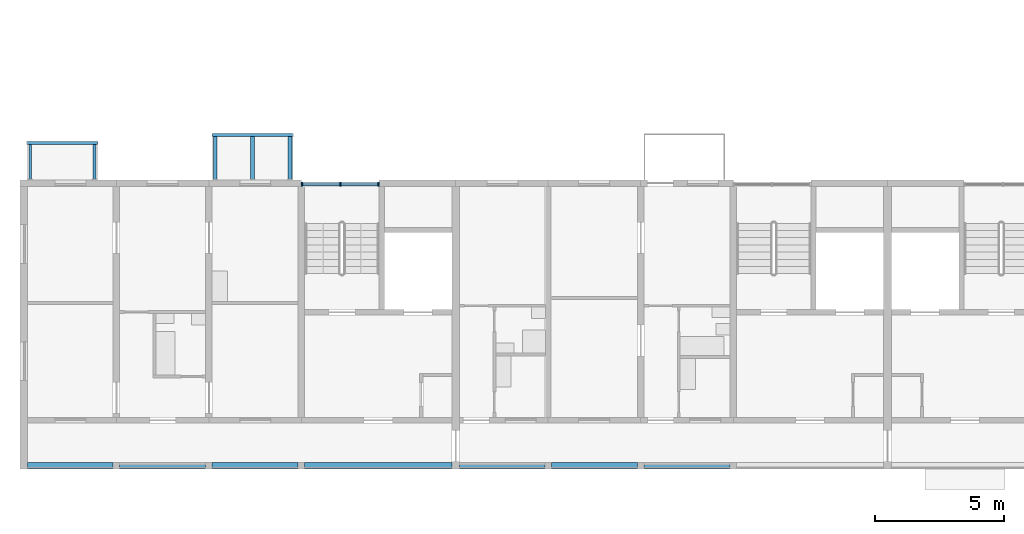
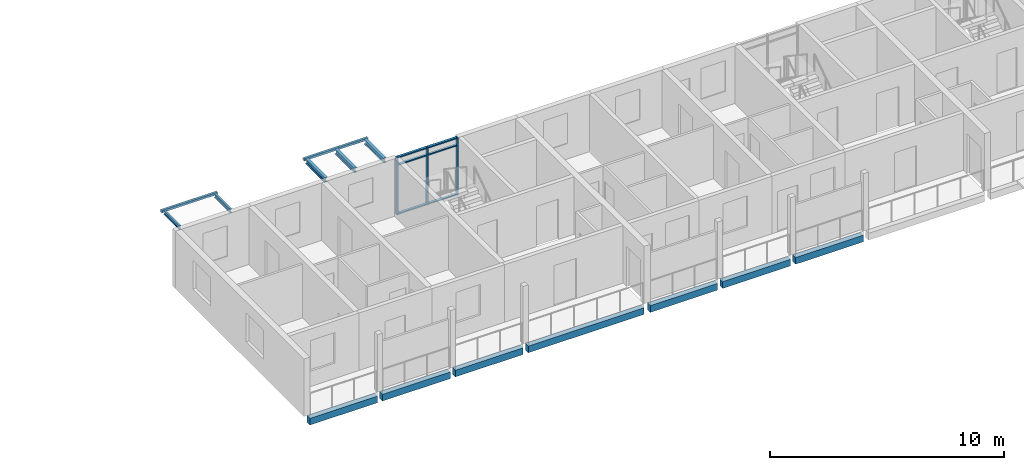
# One storey, part 5 of 100: 14 beams, 9 members, 1 element without a shape of its own.
"""IFC4 building model written with IfcOpenShell, lengths in metres."""

from ifc_helpers import new_model, si_unit, direction, frame, origin, origin_2d, place, context, subcontext, project, spatial, rectangle, hollow_rectangle, i_section, extrude, material, material_profile, profile_set, type_object, element, aggregate, save


model = new_model("IFC4")

# Units and contexts
model_context = context("Model", 3, precision=1e-05, world=origin(), true_north=direction((0.0, 1.0)))
body_context = subcontext(model_context, "Body", "Model", "MODEL_VIEW")
ifc_project = project(units=[si_unit("LENGTHUNIT", "METRE"), si_unit("AREAUNIT", "SQUARE_METRE"), si_unit("VOLUMEUNIT", "CUBIC_METRE"), si_unit("PLANEANGLEUNIT", "RADIAN"), si_unit("MASSUNIT", "GRAM", prefix="KILO")], contexts=[model_context])

# Site, building, storey
site_placement = place(None, origin())
site = spatial("IfcSite", under=ifc_project, at=site_placement, CompositionType="ELEMENT")
building_placement = place(site_placement, origin())
building = spatial("IfcBuilding", under=site, at=building_placement, Name="Ridgestep Commons", CompositionType="ELEMENT")
storey_placement = place(building_placement, frame((0.0, 0.0, 9.0)))
storey = spatial("IfcBuildingStorey", under=building, at=storey_placement, Name="L03", CompositionType="ELEMENT", Elevation=9.0)

# Beams
ifc_material_1 = material(Name="Precast concrete C40/50", Category="concrete")
ifc_material_profile_1 = material_profile(ifc_material_1, rectangle(XDim=0.25, YDim=0.35009765625, at=origin_2d()), Name="PC 250x350")
ifc_profile_set_1 = profile_set([ifc_material_profile_1], Name="Precast concrete C40/50")
beam_type_1 = type_object("IfcBeamType", Name="Loggia edge beam 250 x 350", PredefinedType="SPANDREL", material=ifc_profile_set_1)
beam_1_placement = place(storey_placement, frame((12.14990234375, 11.875, -0.375), z_axis=(1.0, 0.0, 0.0), x_axis=(0.0, 1.0, 0.0)))
element("IfcBeam", 1, at=beam_1_placement, inside=storey, type_object=beam_type_1, Name="Loggia edge beam A1T1 L03", PredefinedType="SPANDREL", context=body_context, shape_type="SweptSolid", body=[
    extrude(rectangle(XDim=0.25, YDim=0.35009765625, at=origin_2d()), origin(), (0.0, 0.0, 1.0), 3.3251953125),
])
beam_2_placement = place(storey_placement, frame((15.72509765625, 11.875, -0.375), z_axis=(1.0, 0.0, 0.0), x_axis=(0.0, 1.0, 0.0)))
element("IfcBeam", 2, at=beam_2_placement, inside=storey, type_object=beam_type_1, Name="Loggia edge beam A1T2 L03", PredefinedType="SPANDREL", context=body_context, shape_type="SweptSolid", body=[
    extrude(rectangle(XDim=0.25, YDim=0.35009765625, at=origin_2d()), origin(), (0.0, 0.0, 1.0), 3.349853515625),
])
beam_3_placement = place(storey_placement, frame((19.324951171875, 11.875, -0.375), z_axis=(1.0, 0.0, 0.0), x_axis=(0.0, 1.0, 0.0)))
element("IfcBeam", 3, at=beam_3_placement, inside=storey, type_object=beam_type_1, Name="Loggia edge beam A1T3 L03", PredefinedType="SPANDREL", context=body_context, shape_type="SweptSolid", body=[
    extrude(rectangle(XDim=0.25, YDim=0.35009765625, at=origin_2d()), origin(), (0.0, 0.0, 1.0), 3.35009765625),
])
beam_4_placement = place(storey_placement, frame((22.925048828125, 11.875, -0.375), z_axis=(1.0, 0.0, 0.0), x_axis=(0.0, 1.0, 0.0)))
element("IfcBeam", 4, at=beam_4_placement, inside=storey, type_object=beam_type_1, Name="Loggia edge beam A1C L03", PredefinedType="SPANDREL", context=body_context, shape_type="SweptSolid", body=[
    extrude(rectangle(XDim=0.25, YDim=0.35009765625, at=origin_2d()), origin(), (0.0, 0.0, 1.0), 5.724853515625),
])
beam_5_placement = place(storey_placement, frame((28.949951171875, 11.875, -0.375), z_axis=(1.0, 0.0, 0.0), x_axis=(0.0, 1.0, 0.0)))
element("IfcBeam", 5, at=beam_5_placement, inside=storey, type_object=beam_type_1, Name="Loggia edge beam A2T1 L03", PredefinedType="SPANDREL", context=body_context, shape_type="SweptSolid", body=[
    extrude(rectangle(XDim=0.25, YDim=0.35009765625, at=origin_2d()), origin(), (0.0, 0.0, 1.0), 3.324951171875),
])
for number, where, z_axis, x_axis, name in (
    (6, (32.52490234375, 11.875, -0.375), (1.0, 0.0, 0.0), (0.0, 1.0, 0.0), "Loggia edge beam A2T2 L03"),
    (7, (36.125, 11.875, -0.375), (1.0, 0.0, 0.0), (0.0, 1.0, 0.0), "Loggia edge beam A2T3 L03"),
):
    element("IfcBeam", number, at=place(storey_placement, frame(where, z_axis=z_axis, x_axis=x_axis)), inside=storey, type_object=beam_type_1, Name=name, PredefinedType="SPANDREL", context=body_context, shape_type="SweptSolid", body=[
        extrude(rectangle(XDim=0.25, YDim=0.35009765625, at=origin_2d()), origin(), (0.0, 0.0, 1.0), 3.35009765625),
    ])

# Curtain wall, members
ifc_material_2 = material(Name="Aluminium 6063-T6 and glass", Category="aluminium")
curtain_wall_type = type_object("IfcCurtainWallType", Name="Curtain wall stair strip", PredefinedType="NOTDEFINED", material=ifc_material_2)
curtain_wall_placement = place(storey_placement, origin())
curtain_wall = element("IfcCurtainWall", 8, at=curtain_wall_placement, inside=storey, type_object=curtain_wall_type, Name="Curtain wall A1C level 03", PredefinedType="NOTDEFINED")
ifc_material_3 = material(Name="Aluminium 6063-T6", Category="aluminium")
ifc_material_profile_2 = material_profile(ifc_material_3, rectangle(XDim=0.159912109375, YDim=0.06005859375, at=origin_2d()), Name="Mullion 60 x 160")
ifc_profile_set_2 = profile_set([ifc_material_profile_2], Name="Aluminium 6063-T6")
member_type_1 = type_object("IfcMemberType", Name="Mullion 60 x 160", PredefinedType="MULLION", material=ifc_profile_set_2)
member_1_placement = place(storey_placement, frame((22.830078125, 22.830078125, 0.0), z_axis=(0.0, 0.0, 1.0), x_axis=(0.0, 1.0, 0.0)))
member_1 = element("IfcMember", 9, at=member_1_placement, type_object=member_type_1, Name="CW1 mullion 1", PredefinedType="MULLION", context=body_context, shape_type="SweptSolid", body=[
    extrude(rectangle(XDim=0.159912109375, YDim=0.06005859375, at=origin_2d()), origin(), (0.0, 0.0, 1.0), 3.0),
])
member_2_placement = place(storey_placement, frame((24.3125, 22.830078125, 0.0), z_axis=(0.0, 0.0, 1.0), x_axis=(0.0, 1.0, 0.0)))
member_2 = element("IfcMember", 10, at=member_2_placement, type_object=member_type_1, Name="CW1 mullion 2", PredefinedType="MULLION", context=body_context, shape_type="SweptSolid", body=[
    extrude(rectangle(XDim=0.159912109375, YDim=0.06005859375, at=origin_2d()), origin(), (0.0, 0.0, 1.0), 3.0),
])
member_3_placement = place(storey_placement, frame((25.794921875, 22.830078125, 0.0), z_axis=(0.0, 0.0, 1.0), x_axis=(0.0, 1.0, 0.0)))
member_3 = element("IfcMember", 11, at=member_3_placement, type_object=member_type_1, Name="CW1 mullion 3", PredefinedType="MULLION", context=body_context, shape_type="SweptSolid", body=[
    extrude(rectangle(XDim=0.159912109375, YDim=0.06005859375, at=origin_2d()), origin(), (0.0, 0.0, 1.0), 3.0),
])
ifc_material_4 = material(Name="Aluminium 6063-T6", Category="aluminium")
ifc_material_profile_3 = material_profile(ifc_material_4, rectangle(XDim=0.1201171875, YDim=0.06005859375, at=origin_2d()), Name="Transom 60 x 120")
ifc_profile_set_3 = profile_set([ifc_material_profile_3], Name="Aluminium 6063-T6")
member_type_2 = type_object("IfcMemberType", Name="Transom 60 x 120", PredefinedType="USERDEFINED", material=ifc_profile_set_3)
member_4_placement = place(storey_placement, frame((22.860107421875, 22.830078125, 0.030029296875), z_axis=(1.0, 0.0, 0.0), x_axis=(0.0, 1.0, 0.0)))
member_4 = element("IfcMember", 12, at=member_4_placement, type_object=member_type_2, Name="CW1 transom 1.1", ObjectType="TRANSOM", PredefinedType="USERDEFINED", context=body_context, shape_type="SweptSolid", body=[
    extrude(rectangle(XDim=0.1201171875, YDim=0.06005859375, at=origin_2d()), origin(), (0.0, 0.0, 1.0), 1.42236328125),
])
member_5_placement = place(storey_placement, frame((22.860107421875, 22.830078125, 2.590087890625), z_axis=(1.0, 0.0, 0.0), x_axis=(0.0, 1.0, 0.0)))
member_5 = element("IfcMember", 13, at=member_5_placement, type_object=member_type_2, Name="CW1 transom 1.2", ObjectType="TRANSOM", PredefinedType="USERDEFINED", context=body_context, shape_type="SweptSolid", body=[
    extrude(rectangle(XDim=0.1201171875, YDim=0.06005859375, at=origin_2d()), origin(), (0.0, 0.0, 1.0), 1.42236328125),
])
member_6_placement = place(storey_placement, frame((22.860107421875, 22.830078125, 2.969970703125), z_axis=(1.0, 0.0, 0.0), x_axis=(0.0, 1.0, 0.0)))
member_6 = element("IfcMember", 14, at=member_6_placement, type_object=member_type_2, Name="CW1 transom 1.3", ObjectType="TRANSOM", PredefinedType="USERDEFINED", context=body_context, shape_type="SweptSolid", body=[
    extrude(rectangle(XDim=0.1201171875, YDim=0.06005859375, at=origin_2d()), origin(), (0.0, 0.0, 1.0), 1.42236328125),
])
member_7_placement = place(storey_placement, frame((24.342529296875, 22.830078125, 0.030029296875), z_axis=(1.0, 0.0, 0.0), x_axis=(0.0, 1.0, 0.0)))
member_7 = element("IfcMember", 15, at=member_7_placement, type_object=member_type_2, Name="CW1 transom 2.1", ObjectType="TRANSOM", PredefinedType="USERDEFINED", context=body_context, shape_type="SweptSolid", body=[
    extrude(rectangle(XDim=0.1201171875, YDim=0.06005859375, at=origin_2d()), origin(), (0.0, 0.0, 1.0), 1.42236328125),
])
member_8_placement = place(storey_placement, frame((24.342529296875, 22.830078125, 2.590087890625), z_axis=(1.0, 0.0, 0.0), x_axis=(0.0, 1.0, 0.0)))
member_8 = element("IfcMember", 16, at=member_8_placement, type_object=member_type_2, Name="CW1 transom 2.2", ObjectType="TRANSOM", PredefinedType="USERDEFINED", context=body_context, shape_type="SweptSolid", body=[
    extrude(rectangle(XDim=0.1201171875, YDim=0.06005859375, at=origin_2d()), origin(), (0.0, 0.0, 1.0), 1.42236328125),
])
member_9_placement = place(storey_placement, frame((24.342529296875, 22.830078125, 2.969970703125), z_axis=(1.0, 0.0, 0.0), x_axis=(0.0, 1.0, 0.0)))
member_9 = element("IfcMember", 17, at=member_9_placement, type_object=member_type_2, Name="CW1 transom 2.3", ObjectType="TRANSOM", PredefinedType="USERDEFINED", context=body_context, shape_type="SweptSolid", body=[
    extrude(rectangle(XDim=0.1201171875, YDim=0.06005859375, at=origin_2d()), origin(), (0.0, 0.0, 1.0), 1.42236328125),
])
aggregate(curtain_wall, [member_1, member_2, member_3, member_4, member_5, member_6, member_7, member_8, member_9])

# Beams
ifc_material_5 = material(Name="Weathering steel S355J2W", Category="steel")
ifc_material_profile_4 = material_profile(ifc_material_5, i_section(OverallWidth=0.101806640625, OverallDepth=0.203125, WebThickness=0.00537109375, FlangeThickness=0.00927734375, FilletRadius=0.007568359375, at=origin_2d()), Name="UB 203x102x23")
ifc_profile_set_4 = profile_set([ifc_material_profile_4], Name="Weathering steel S355J2W")
beam_type_2 = type_object("IfcBeamType", Name="Tray arm UB 203x102x23", PredefinedType="BEAM", material=ifc_profile_set_4)
for number, where, z_axis, x_axis, name in (
    (18, (12.25, 23.014892578125, 2.888427734375), (0.0, 1.0, 0.0), (-1.0, 0.0, 0.0), "Tray arm A1T1-04.1"),
    (19, (14.75, 23.014892578125, 2.888427734375), (0.0, 1.0, 0.0), (-1.0, 0.0, 0.0), "Tray arm A1T1-04.2"),
):
    element("IfcBeam", number, at=place(storey_placement, frame(where, z_axis=z_axis, x_axis=x_axis)), inside=storey, type_object=beam_type_2, Name=name, PredefinedType="BEAM", context=body_context, shape_type="SweptSolid", body=[
        extrude(i_section(OverallWidth=0.101806640625, OverallDepth=0.203125, WebThickness=0.00537109375, FlangeThickness=0.00927734375, FilletRadius=0.007568359375, at=origin_2d()), origin(), (0.0, 0.0, 1.0), 1.364990234375),
    ])
ifc_material_6 = material(Name="Weathering steel S355J2W", Category="steel")
ifc_material_profile_5 = material_profile(ifc_material_6, i_section(OverallWidth=0.14599609375, OverallDepth=0.25146484375, WebThickness=0.006103515625, FlangeThickness=0.008544921875, FilletRadius=0.007568359375, at=origin_2d()), Name="UB 254x146x31")
ifc_profile_set_5 = profile_set([ifc_material_profile_5], Name="Weathering steel S355J2W")
beam_type_3 = type_object("IfcBeamType", Name="Tray arm UB 254x146x31", PredefinedType="BEAM", material=ifc_profile_set_5)
for number, where, z_axis, x_axis, name in (
    (20, (19.449951171875, 23.014892578125, 2.8642578125), (0.0, 1.0, 0.0), (-1.0, 0.0, 0.0), "Tray arm A1T3-04.1"),
    (21, (20.89990234375, 23.014892578125, 2.8642578125), (0.0, 1.0, 0.0), (-1.0, 0.0, 0.0), "Tray arm A1T3-04.2"),
    (22, (22.35009765625, 23.014892578125, 2.8642578125), (0.0, 1.0, 0.0), (-1.0, 0.0, 0.0), "Tray arm A1T3-04.3"),
):
    element("IfcBeam", number, at=place(storey_placement, frame(where, z_axis=z_axis, x_axis=x_axis)), inside=storey, type_object=beam_type_3, Name=name, PredefinedType="BEAM", context=body_context, shape_type="SweptSolid", body=[
        extrude(i_section(OverallWidth=0.14599609375, OverallDepth=0.25146484375, WebThickness=0.006103515625, FlangeThickness=0.008544921875, FilletRadius=0.007568359375, at=origin_2d()), origin(), (0.0, 0.0, 1.0), 1.6650390625),
    ])
ifc_material_7 = material(Name="Weathering steel S355J2W", Category="steel")
ifc_material_profile_6 = material_profile(ifc_material_7, hollow_rectangle(XDim=0.1201171875, YDim=0.1201171875, WallThickness=0.00634765625, InnerFilletRadius=0.00634765625, OuterFilletRadius=0.009521484375, at=origin_2d()), Name="SHS 120x120x6.3")
ifc_profile_set_6 = profile_set([ifc_material_profile_6], Name="Weathering steel S355J2W")
beam_type_4 = type_object("IfcBeamType", Name="Tray edge member SHS 120x120x6.3", PredefinedType="BEAM", material=ifc_profile_set_6)
beam_6_placement = place(storey_placement, frame((12.1298828125, 24.43994140625, 2.929931640625), z_axis=(1.0, 0.0, 0.0), x_axis=(0.0, 0.0, 1.0)))
element("IfcBeam", 23, at=beam_6_placement, inside=storey, type_object=beam_type_4, Name="Tray edge member A1T1-04", PredefinedType="BEAM", context=body_context, shape_type="SweptSolid", body=[
    extrude(hollow_rectangle(XDim=0.1201171875, YDim=0.1201171875, WallThickness=0.00634765625, InnerFilletRadius=0.00634765625, OuterFilletRadius=0.009521484375, at=origin_2d()), origin(), (0.0, 0.0, 1.0), 2.740234375),
])
beam_7_placement = place(storey_placement, frame((19.330078125, 24.739990234375, 2.929931640625), z_axis=(1.0, 0.0, 0.0), x_axis=(0.0, 0.0, 1.0)))
element("IfcBeam", 24, at=beam_7_placement, inside=storey, type_object=beam_type_4, Name="Tray edge member A1T3-04", PredefinedType="BEAM", context=body_context, shape_type="SweptSolid", body=[
    extrude(hollow_rectangle(XDim=0.1201171875, YDim=0.1201171875, WallThickness=0.00634765625, InnerFilletRadius=0.00634765625, OuterFilletRadius=0.009521484375, at=origin_2d()), origin(), (0.0, 0.0, 1.0), 3.139892578125),
])

save(model, "model.ifc")
